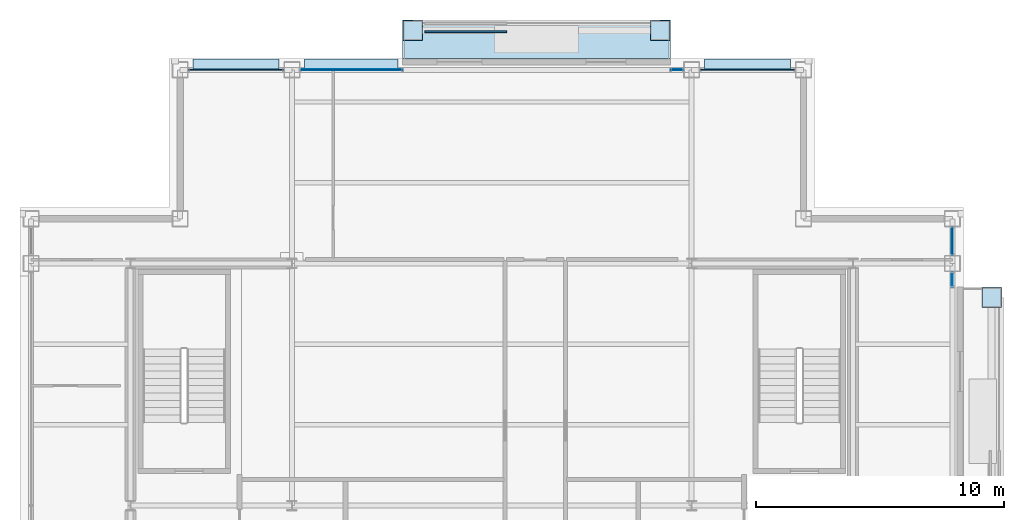
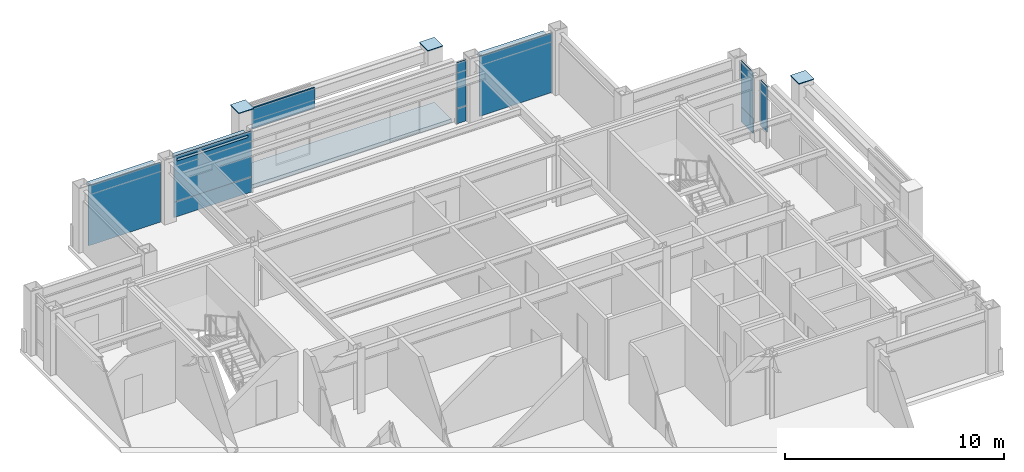
# One storey, part 18 of 24: 16 plates, 1 slab, 6 elements without a shape of their own.
"""IFC4 building model written with IfcOpenShell, lengths in metres."""

from ifc_helpers import new_model, si_unit, direction, frame, origin, origin_2d, place, context, subcontext, project, spatial, polyline, rectangle, outline, extrude, material, layer, layer_set, type_object, element, aggregate, save


model = new_model("IFC4")

# Units and contexts
model_context = context("Model", 3, precision=1e-05, world=origin(), true_north=direction((0.0, 1.0)))
body_context = subcontext(model_context, "Body", "Model", "MODEL_VIEW")
ifc_project = project(units=[si_unit("LENGTHUNIT", "METRE"), si_unit("AREAUNIT", "SQUARE_METRE"), si_unit("VOLUMEUNIT", "CUBIC_METRE"), si_unit("PLANEANGLEUNIT", "RADIAN"), si_unit("MASSUNIT", "GRAM", prefix="KILO")], contexts=[model_context])

# Site, building, storey
site_placement = place(None, origin())
site = spatial("IfcSite", under=ifc_project, at=site_placement, CompositionType="ELEMENT")
building_placement = place(site_placement, origin())
building = spatial("IfcBuilding", under=site, at=building_placement, Name="Brelmoor Portico Tower", CompositionType="ELEMENT")
storey_placement = place(building_placement, frame((0.0, 0.0, 240.0)))
storey = spatial("IfcBuildingStorey", under=building, at=storey_placement, Name="L63", CompositionType="ELEMENT", Elevation=240.0)

# Plates
ifc_material_1 = material(Name="Steel Q355B", Category="steel")
ifc_layer_1 = layer(ifc_material_1, 0.044921875)
ifc_layer_set_1 = layer_set([ifc_layer_1], Name="Steel Q355B")
plate_type_1 = type_object("IfcPlateType", Name="PT-CAP-650", PredefinedType="SHEET", material=ifc_layer_set_1)
for number, where, z_axis, x_axis, name in (
    (1, (-3.179931640625, 19.1298828125, 3.60009765625), (0.0, 0.0, 1.0), (1.0, 0.0, 0.0), "L63 Proud Picture-Frame Pier PFJ-N1 Welded Head Cap Plate"),
    (2, (6.780029296875, 19.1298828125, 3.60009765625), (0.0, 0.0, 1.0), (1.0, 0.0, 0.0), "L63 Proud Picture-Frame Pier PFJ-N2 Welded Head Cap Plate"),
    (3, (20.1298828125, 8.3798828125, 3.60009765625), (0.0, 0.0, 1.0), (0.0, 1.0, 0.0), "L63 Proud Picture-Frame Pier PFJ-E2 Welded Head Cap Plate"),
):
    element("IfcPlate", number, at=place(storey_placement, frame(where, z_axis=z_axis, x_axis=x_axis)), inside=storey, type_object=plate_type_1, Name=name, PredefinedType="SHEET", context=body_context, shape_type="SweptSolid", body=[
        extrude(rectangle(XDim=0.7900390625, YDim=0.7900390625, at=origin_2d()), origin(), (0.0, 0.0, 1.0), 0.0400390625),
    ])

# Curtain wall, plate
ifc_material_2 = material(Name="Anodised Aluminium Alloy 6063-T6", Category="aluminium")
ifc_layer_2 = layer(ifc_material_2, 0.179931640625)
ifc_layer_set_2 = layer_set([ifc_layer_2], Name="Anodised Aluminium Alloy 6063-T6")
curtain_wall_type_1 = type_object("IfcCurtainWallType", Name="CW-TOWER-Z4", PredefinedType="NOTDEFINED", material=ifc_layer_set_2)
curtain_wall_1_placement = place(storey_placement, origin())
curtain_wall_1 = element("IfcCurtainWall", 4, at=curtain_wall_1_placement, inside=storey, type_object=curtain_wall_type_1, Name="L63 Curtain Wall CW-L63-2L-2", PredefinedType="NOTDEFINED")
ifc_material_3 = material(Name="Double-Silver Low-E Insulated Glazing", Category="glass")
ifc_layer_3 = layer(ifc_material_3, 0.035888671875)
ifc_layer_set_3 = layer_set([ifc_layer_3], Name="Double-Silver Low-E Insulated Glazing")
plate_type_2 = type_object("IfcPlateType", Name="PT-CW-GLASS", PredefinedType="CURTAIN_PANEL", material=ifc_layer_set_3)
plate_1_placement = place(storey_placement, frame((-5.657470703125, 17.550048828125, 0.85009765625), z_axis=(0.0, 0.0, 1.0), x_axis=(1.0, 0.0, 0.0)))
plate_1 = element("IfcPlate", 5, at=plate_1_placement, type_object=plate_type_2, Name="CW-L63-2L-2 Vision Glass Panel 00", PredefinedType="CURTAIN_PANEL", context=body_context, shape_type="SweptSolid", body=[
    extrude(rectangle(XDim=4.0849609375, YDim=0.035888671875, at=origin_2d()), origin(), (0.0, 0.0, 1.0), 2.550048828125),
])

curtain_wall_2_placement = place(storey_placement, origin())
curtain_wall_2 = element("IfcCurtainWall", 6, at=curtain_wall_2_placement, inside=storey, type_object=curtain_wall_type_1, Name="L63 Curtain Wall CW-L63-2R-1", PredefinedType="NOTDEFINED")
plate_2_placement = place(storey_placement, frame((7.45751953125, 17.550048828125, 0.85009765625), z_axis=(0.0, 0.0, 1.0), x_axis=(1.0, 0.0, 0.0)))
plate_2 = element("IfcPlate", 7, at=plate_2_placement, type_object=plate_type_2, Name="CW-L63-2R-1 Vision Glass Panel 00", PredefinedType="CURTAIN_PANEL", context=body_context, shape_type="SweptSolid", body=[
    extrude(rectangle(XDim=0.485107421875, YDim=0.035888671875, at=origin_2d()), origin(), (0.0, 0.0, 1.0), 2.550048828125),
])

curtain_wall_3_placement = place(storey_placement, origin())
curtain_wall_3 = element("IfcCurtainWall", 8, at=curtain_wall_3_placement, inside=storey, type_object=curtain_wall_type_1, Name="L63 Curtain Wall CW-L63-4R-1", PredefinedType="NOTDEFINED")
plate_3_placement = place(storey_placement, frame((18.550048828125, 9.107421875, 0.85009765625), z_axis=(0.0, 0.0, 1.0), x_axis=(0.0, 1.0, 0.0)))
plate_3 = element("IfcPlate", 9, at=plate_3_placement, type_object=plate_type_2, Name="CW-L63-4R-1 Vision Glass Panel 00", PredefinedType="CURTAIN_PANEL", context=body_context, shape_type="SweptSolid", body=[
    extrude(rectangle(XDim=0.5849609375, YDim=0.035888671875, at=origin_2d()), origin(), (0.0, 0.0, 1.0), 2.550048828125),
])
aggregate(curtain_wall_3, [plate_3])

curtain_wall_4_placement = place(storey_placement, origin())
curtain_wall_4 = element("IfcCurtainWall", 10, at=curtain_wall_4_placement, inside=storey, type_object=curtain_wall_type_1, Name="L63 Curtain Wall CW-L63-4R-2", PredefinedType="NOTDEFINED")
plate_4_placement = place(storey_placement, frame((18.550048828125, 10.64990234375, 0.85009765625), z_axis=(0.0, 0.0, 1.0), x_axis=(0.0, 1.0, 0.0)))
plate_4 = element("IfcPlate", 11, at=plate_4_placement, type_object=plate_type_2, Name="CW-L63-4R-2 Vision Glass Panel 00", PredefinedType="CURTAIN_PANEL", context=body_context, shape_type="SweptSolid", body=[
    extrude(rectangle(XDim=1.10009765625, YDim=0.035888671875, at=origin_2d()), origin(), (0.0, 0.0, 1.0), 2.550048828125),
])

ifc_layer_4 = layer(ifc_material_2, 0.179931640625)
ifc_layer_set_4 = layer_set([ifc_layer_4], Name="Anodised Aluminium Alloy 6063-T6")
curtain_wall_type_2 = type_object("IfcCurtainWallType", Name="CW-TOWER-Z4-XB", PredefinedType="NOTDEFINED", material=ifc_layer_set_4)
curtain_wall_5_placement = place(storey_placement, origin())
curtain_wall_5 = element("IfcCurtainWall", 12, at=curtain_wall_5_placement, inside=storey, type_object=curtain_wall_type_2, Name="L63 Curtain Wall CW-L63-2L-1", PredefinedType="NOTDEFINED")
ifc_material_4 = material(Name="Pale Champagne Anodised Aluminium Panel", Category="aluminium")
ifc_layer_5 = layer(ifc_material_4, 0.050048828125)
ifc_layer_set_5 = layer_set([ifc_layer_5], Name="Pale Champagne Anodised Aluminium Panel")
plate_type_3 = type_object("IfcPlateType", Name="PT-CW-SPANDREL", PredefinedType="SHEET", material=ifc_layer_set_5)
plate_5_placement = place(storey_placement, frame((-10.300048828125, 17.550048828125, 0.0), z_axis=(0.0, 0.0, 1.0), x_axis=(1.0, 0.0, 0.0)))
plate_5 = element("IfcPlate", 13, at=plate_5_placement, type_object=plate_type_3, Name="CW-L63-2L-1 Spandrel Panel 00", PredefinedType="SHEET", context=body_context, shape_type="SweptSolid", body=[
    extrude(rectangle(XDim=3.800048828125, YDim=0.050048828125, at=origin_2d()), origin(), (0.0, 0.0, 1.0), 3.33740234375),
])
aggregate(curtain_wall_5, [plate_5])

# Plate
plate_6_placement = place(storey_placement, frame((-5.657470703125, 17.550048828125, 0.0), z_axis=(0.0, 0.0, 1.0), x_axis=(1.0, 0.0, 0.0)))
plate_6 = element("IfcPlate", 14, at=plate_6_placement, type_object=plate_type_3, Name="CW-L63-2L-2 Spandrel Panel 00", PredefinedType="SHEET", context=body_context, shape_type="SweptSolid", body=[
    extrude(rectangle(XDim=4.0849609375, YDim=0.050048828125, at=origin_2d()), origin(), (0.0, 0.0, 1.0), 0.85009765625),
])

aggregate(curtain_wall_1, [plate_6, plate_1])

plate_7_placement = place(storey_placement, frame((7.45751953125, 17.550048828125, 0.0), z_axis=(0.0, 0.0, 1.0), x_axis=(1.0, 0.0, 0.0)))
plate_7 = element("IfcPlate", 15, at=plate_7_placement, type_object=plate_type_3, Name="CW-L63-2R-1 Spandrel Panel 00", PredefinedType="SHEET", context=body_context, shape_type="SweptSolid", body=[
    extrude(rectangle(XDim=0.485107421875, YDim=0.050048828125, at=origin_2d()), origin(), (0.0, 0.0, 1.0), 0.85009765625),
])

aggregate(curtain_wall_2, [plate_7, plate_2])

# Curtain wall, plate
curtain_wall_6_placement = place(storey_placement, origin())
curtain_wall_6 = element("IfcCurtainWall", 16, at=curtain_wall_6_placement, inside=storey, type_object=curtain_wall_type_2, Name="L63 Curtain Wall CW-L63-2R-2", PredefinedType="NOTDEFINED")
plate_8_placement = place(storey_placement, frame((10.300048828125, 17.550048828125, 0.0), z_axis=(0.0, 0.0, 1.0), x_axis=(1.0, 0.0, 0.0)))
plate_8 = element("IfcPlate", 17, at=plate_8_placement, type_object=plate_type_3, Name="CW-L63-2R-2 Spandrel Panel 00", PredefinedType="SHEET", context=body_context, shape_type="SweptSolid", body=[
    extrude(rectangle(XDim=3.800048828125, YDim=0.050048828125, at=origin_2d()), origin(), (0.0, 0.0, 1.0), 3.33740234375),
])
aggregate(curtain_wall_6, [plate_8])

# Plate
plate_9_placement = place(storey_placement, frame((18.550048828125, 10.64990234375, 0.0), z_axis=(0.0, 0.0, 1.0), x_axis=(0.0, 1.0, 0.0)))
plate_9 = element("IfcPlate", 18, at=plate_9_placement, type_object=plate_type_3, Name="CW-L63-4R-2 Spandrel Panel 00", PredefinedType="SHEET", context=body_context, shape_type="SweptSolid", body=[
    extrude(rectangle(XDim=1.10009765625, YDim=0.050048828125, at=origin_2d()), origin(), (0.0, 0.0, 1.0), 0.85009765625),
])

aggregate(curtain_wall_4, [plate_9, plate_4])

# Plates
ifc_material_5 = material(Name="Powder-Coated Aluminium Shuttered Jalousie Louvre", Category="aluminium")
ifc_layer_6 = layer(ifc_material_5, 0.06005859375)
ifc_layer_set_6 = layer_set([ifc_layer_6], Name="Powder-Coated Aluminium Shuttered Jalousie Louvre")
plate_type_4 = type_object("IfcPlateType", Name="PT-JALOUSIE-SHUTTER", PredefinedType="SHEET", material=ifc_layer_set_6)
plate_10_placement = place(storey_placement, frame((-1.050048828125, 19.080078125, 2.275146484375), z_axis=(0.0, 0.0, 1.0), x_axis=(1.0, 0.0, 0.0)))
element("IfcPlate", 19, at=plate_10_placement, inside=storey, type_object=plate_type_4, Name="L63 Shuttered Veranda Screen N", PredefinedType="SHEET", context=body_context, shape_type="SweptSolid", body=[
    extrude(rectangle(XDim=3.300048828125, YDim=0.080078125, at=origin_2d()), origin(), (0.0, 0.0, 1.0), 1.14990234375),
])
ifc_material_6 = material(Name="Pale Champagne Perforated Aluminium Solar Screen", Category="aluminium")
ifc_layer_7 = layer(ifc_material_6, 0.054931640625)
ifc_layer_set_7 = layer_set([ifc_layer_7], Name="Pale Champagne Perforated Aluminium Solar Screen")
plate_type_5 = type_object("IfcPlateType", Name="PT-SOLAR-LOUVRE", PredefinedType="SHEET", material=ifc_layer_set_7)
plate_11_placement = place(storey_placement, frame((-10.300048828125, 17.760009765625, 3.08984375), z_axis=(0.0, 0.0, 1.0), x_axis=(1.0, 0.0, 0.0)))
element("IfcPlate", 20, at=plate_11_placement, inside=storey, type_object=plate_type_5, Name="CW-L63-2L-1 Caribbean Brise-Soleil Solar Screen", PredefinedType="SHEET", context=body_context, shape_type="SweptSolid", body=[
    extrude(rectangle(XDim=3.469970703125, YDim=0.4599609375, at=origin_2d()), origin(), (0.0, 0.0, 1.0), 0.139892578125),
])
plate_12_placement = place(storey_placement, frame((-5.657470703125, 17.760009765625, 3.08984375), z_axis=(0.0, 0.0, 1.0), x_axis=(1.0, 0.0, 0.0)))
element("IfcPlate", 21, at=plate_12_placement, inside=storey, type_object=plate_type_5, Name="CW-L63-2L-2 Caribbean Brise-Soleil Solar Screen", PredefinedType="SHEET", context=body_context, shape_type="SweptSolid", body=[
    extrude(rectangle(XDim=3.7548828125, YDim=0.4599609375, at=origin_2d()), origin(), (0.0, 0.0, 1.0), 0.139892578125),
])
plate_13_placement = place(storey_placement, frame((10.300048828125, 17.760009765625, 3.08984375), z_axis=(0.0, 0.0, 1.0), x_axis=(1.0, 0.0, 0.0)))
element("IfcPlate", 22, at=plate_13_placement, inside=storey, type_object=plate_type_5, Name="CW-L63-2R-2 Caribbean Brise-Soleil Solar Screen", PredefinedType="SHEET", context=body_context, shape_type="SweptSolid", body=[
    extrude(rectangle(XDim=3.469970703125, YDim=0.4599609375, at=origin_2d()), origin(), (0.0, 0.0, 1.0), 0.139892578125),
])

# Slab
ifc_material_7 = material(Name="Concrete C40", Category="concrete")
ifc_layer_8 = layer(ifc_material_7, 0.199951171875)
ifc_layer_set_8 = layer_set([ifc_layer_8], Name="Concrete C40")
slab_type = type_object("IfcSlabType", Name="SL-BALCONY-200", PredefinedType="FLOOR", material=ifc_layer_set_8)
slab_placement = place(storey_placement, frame((0.0, 0.0, -0.199951171875)))
element("IfcSlab", 23, at=slab_placement, inside=storey, type_object=slab_type, Name="L63 Loggia Tree Balcony Slab N", PredefinedType="FLOOR", context=body_context, shape_type="SweptSolid", body=[
    extrude(outline(polyline([(-3.60009765625, 18.0), (7.199951171875, 18.0), (7.199951171875, 19.550048828125), (-3.60009765625, 19.550048828125), (-3.60009765625, 18.0)])), origin(), (0.0, 0.0, 1.0), 0.199951171875),
])

save(model, "model.ifc")
